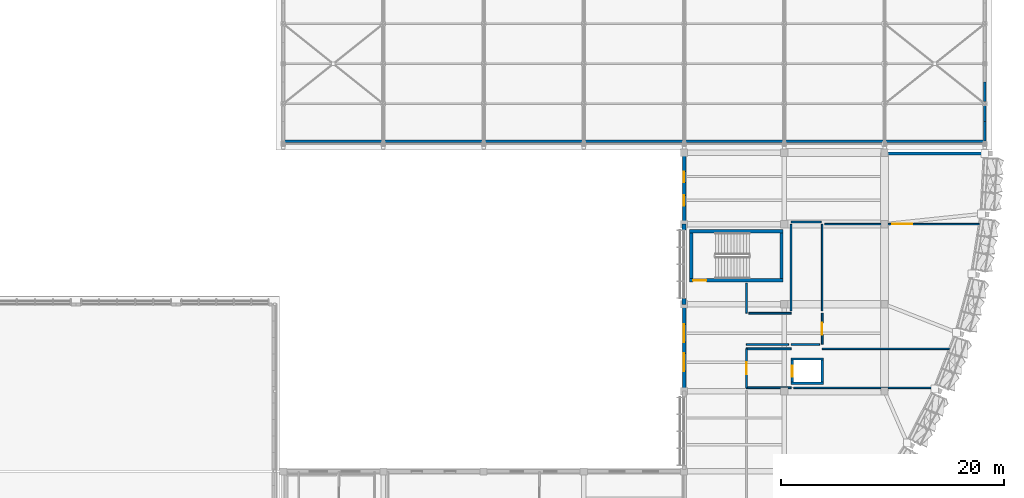
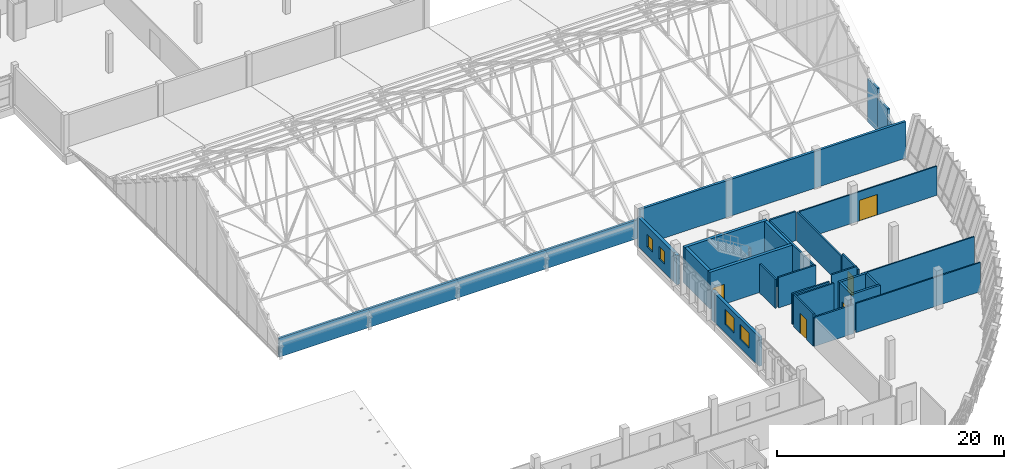
# One storey, part 172 of 182: 31 walls, 5 doors, 4 windows, 9 openings.
"""IFC4 building model written with IfcOpenShell, lengths in metres."""

import ifcopenshell
import ifcopenshell.guid

model = None  # the IFC model being written
_history = None  # IfcOwnerHistory: only IFC2X3 demands one
_inside = {}  # id of a spatial element -> (the spatial element, [elements in it])
_under = {}  # id of a project, library or spatial element -> (it, [spatial elements below it])
_declared = {}  # id of a project -> (the project, [libraries it declares])
_typed = {}  # id of a type object -> (the type object, [elements of that type])
_made_of = {}  # id of a material, layer set ... -> (it, [elements and type objects made of it])


def new_model(schema):
    """Start an empty IFC model of exactly this schema.

    Asked for "IFC4X3", IfcOpenShell would pick the latest addendum, in which some entities
    have other attributes; the version numbers below select the first issue.
    IFC2X3 requires an IfcOwnerHistory on every rooted entity: one is made here for all.
    """
    global model, _history
    if schema == "IFC4X3":
        model = ifcopenshell.file(schema_version=(4, 3, 0, 0))
    else:
        model = ifcopenshell.file(schema=schema)
    _inside.clear()
    _under.clear()
    _declared.clear()
    _typed.clear()
    _made_of.clear()
    _history = None
    if model.schema == "IFC2X3":
        org = make("IfcOrganization", Name="unknown")
        user = make(
            "IfcPersonAndOrganization",
            ThePerson=make("IfcPerson", FamilyName="unknown"),
            TheOrganization=org,
        )
        app = make(
            "IfcApplication",
            ApplicationDeveloper=org,
            Version="unknown",
            ApplicationFullName="unknown",
            ApplicationIdentifier="unknown",
        )
        _history = make(
            "IfcOwnerHistory",
            OwningUser=user,
            OwningApplication=app,
            ChangeAction="ADDED",
            CreationDate=0,
        )
    return model


def make(cls, **values):
    """One entity of the class cls with the attributes given. An attribute that is None is left unset."""
    return model.create_entity(
        cls, **{name: value for name, value in values.items() if value is not None}
    )


def rooted(cls, **values):
    """An entity with a GlobalId (a new one), such as an element, a storey or a relation."""
    return make(cls, GlobalId=ifcopenshell.guid.new(), OwnerHistory=_history, **values)


def si_unit(unit_type, name, prefix=None):
    """IfcSIUnit, for example si_unit("LENGTHUNIT", "METRE", prefix="MILLI")."""
    return make("IfcSIUnit", UnitType=unit_type, Prefix=prefix, Name=name)


def assignment(units):
    """IfcUnitAssignment: the units of a project."""
    return None if units is None else make("IfcUnitAssignment", Units=units)


def point(xyz):
    """IfcCartesianPoint."""
    return None if xyz is None else make("IfcCartesianPoint", Coordinates=xyz)


def direction(xyz):
    """IfcDirection."""
    return None if xyz is None else make("IfcDirection", DirectionRatios=xyz)


def frame(location, z_axis=None, x_axis=None):
    """IfcAxis2Placement3D, a coordinate frame: its origin and axes. An axis left out is left unset."""
    return make(
        "IfcAxis2Placement3D",
        Location=point(location),
        Axis=direction(z_axis),
        RefDirection=direction(x_axis),
    )


def frame_2d(location, x_axis=None):
    """IfcAxis2Placement2D, a coordinate frame in the plane: its origin and x axis."""
    return make(
        "IfcAxis2Placement2D", Location=point(location), RefDirection=direction(x_axis)
    )


def origin():
    """The frame at (0, 0, 0) with its axes left unset."""
    return frame((0.0, 0.0, 0.0))


def place(relative_to, where):
    """IfcLocalPlacement: puts the frame where relative to a parent placement (None: the world)."""
    return make(
        "IfcLocalPlacement", PlacementRelTo=relative_to, RelativePlacement=where
    )


def context(
    kind, dimensions, precision=None, world=None, true_north=None, identifier=None
):
    """IfcGeometricRepresentationContext, for example the 3D "Model" context."""
    return make(
        "IfcGeometricRepresentationContext",
        ContextIdentifier=identifier,
        ContextType=kind,
        CoordinateSpaceDimension=dimensions,
        Precision=precision,
        WorldCoordinateSystem=world,
        TrueNorth=true_north,
    )


def subcontext(parent, identifier, kind, view, scale=None):
    """IfcGeometricRepresentationSubContext, for example "Body" below "Model"."""
    return make(
        "IfcGeometricRepresentationSubContext",
        ContextIdentifier=identifier,
        ContextType=kind,
        ParentContext=parent,
        TargetScale=scale,
        TargetView=view,
    )


def project(units=None, contexts=None):
    """IfcProject with its units and contexts."""
    return rooted(
        "IfcProject",
        Name="project",
        RepresentationContexts=contexts,
        UnitsInContext=assignment(units),
    )


def spatial(cls, under=None, at=None, **own):
    """A site, building, storey or space (cls), placed at a placement, below another one or the project."""
    s = rooted(cls, ObjectPlacement=at, **own)
    if under is not None:
        _under.setdefault(under.id(), (under, []))[1].append(s)
    return s


def profile(cls, at=None, kind="AREA", **sizes):
    """A parametric profile (cls). Its sizes go by their IFC names, for example OverallWidth=200.0."""
    return make(cls, ProfileType=kind, Position=at, **sizes)


def rectangle(**sizes):
    """IfcRectangleProfileDef."""
    return profile("IfcRectangleProfileDef", **sizes)


def extrude(swept, where, along, depth):
    """IfcExtrudedAreaSolid: the profile swept, set in the frame where, extruded along a direction by depth."""
    return make(
        "IfcExtrudedAreaSolid",
        SweptArea=swept,
        Position=where,
        ExtrudedDirection=direction(along),
        Depth=depth,
    )


def shape(context_of_items, identifier, shape_type, items):
    """IfcShapeRepresentation: the items that make up one representation, for example the "Body"."""
    return make(
        "IfcShapeRepresentation",
        ContextOfItems=context_of_items,
        RepresentationIdentifier=identifier,
        RepresentationType=shape_type,
        Items=items,
    )


def material(Name=None, Category=None):
    """IfcMaterial."""
    return make("IfcMaterial", Name=Name, Category=Category)


def layer(
    of_material, thickness, ventilated=None, Name=None, Category=None, Priority=None
):
    """IfcMaterialLayer: one layer of a wall or slab, of a material (None: an air gap)."""
    return make(
        "IfcMaterialLayer",
        Material=of_material,
        LayerThickness=thickness,
        IsVentilated=ventilated,
        Name=Name,
        Category=Category,
        Priority=Priority,
    )


def layer_set(layers, Name=None):
    """IfcMaterialLayerSet."""
    return make("IfcMaterialLayerSet", MaterialLayers=layers, LayerSetName=Name)


def made_of(thing, what):
    """Note that an element or type object is made of a material, layer set ...; save() writes the relation."""
    if what is not None:
        _made_of.setdefault(what.id(), (what, []))[1].append(thing)
    return thing


def type_object(cls, material=None, **own):
    """A type object (cls), such as IfcWallType, which elements share."""
    return made_of(rooted(cls, **own), material)


def element(
    cls,
    number,
    at=None,
    inside=None,
    cuts=None,
    type_object=None,
    material=None,
    context=None,
    identifier="Body",
    shape_type=None,
    held_by="IfcProductDefinitionShape",
    body=None,
    shapes=None,
    **own,
):
    """One element of the class cls, such as IfcWall. Its Tag is "e" and its number.

    at: its placement. inside: the storey or other place that contains it. cuts: it is an
    opening in that element (IfcRelVoidsElement). A single representation is given by context,
    identifier, shape_type and body (its items); several are given by shapes. held_by: the class
    of the entity that holds the representations. save() writes the other relations.
    """
    e = rooted(cls, Tag="e%d" % number, ObjectPlacement=at, **own)
    if body is not None:
        shapes = [shape(context, identifier, shape_type, body)]
    if shapes is not None:
        e.Representation = make(held_by, Representations=shapes)
    if inside is not None:
        _inside.setdefault(inside.id(), (inside, []))[1].append(e)
    if cuts is not None:
        rooted(
            "IfcRelVoidsElement", RelatingBuildingElement=cuts, RelatedOpeningElement=e
        )
    if type_object is not None:
        _typed.setdefault(type_object.id(), (type_object, []))[1].append(e)
    return made_of(e, material)


def fill(opening, filler):
    """IfcRelFillsElement: the door or window that sits in an opening."""
    return rooted(
        "IfcRelFillsElement",
        RelatingOpeningElement=opening,
        RelatedBuildingElement=filler,
    )


def aggregate(whole, parts):
    """IfcRelAggregates: a whole, such as a stair, and the parts it consists of."""
    return rooted("IfcRelAggregates", RelatingObject=whole, RelatedObjects=parts)


def save(model, path):
    """Write the relations noted so far, then the file.

    IfcRelAggregates (storeys below a building ...), IfcRelContainedInSpatialStructure (elements
    in a storey), IfcRelDefinesByType, IfcRelAssociatesMaterial and IfcRelDeclares: one each for
    every whole, place, type object, material and project.
    """
    for whole, parts in _under.values():
        aggregate(whole, parts)
    for where, things in _inside.values():
        rooted(
            "IfcRelContainedInSpatialStructure",
            RelatedElements=things,
            RelatingStructure=where,
        )
    for kind, things in _typed.values():
        rooted("IfcRelDefinesByType", RelatedObjects=things, RelatingType=kind)
    for what, things in _made_of.values():
        rooted("IfcRelAssociatesMaterial", RelatedObjects=things, RelatingMaterial=what)
    for by, libraries in _declared.values():
        rooted("IfcRelDeclares", RelatingContext=by, RelatedDefinitions=libraries)
    model.write(path)


model = new_model("IFC4")

# Units and contexts
model_context = context("Model", 3, precision=1e-05, world=origin(), true_north=direction((0.0, 1.0)))
body_context = subcontext(model_context, "Body", "Model", "MODEL_VIEW")
ifc_project = project(units=[si_unit("LENGTHUNIT", "METRE"), si_unit("AREAUNIT", "SQUARE_METRE"), si_unit("VOLUMEUNIT", "CUBIC_METRE"), si_unit("PLANEANGLEUNIT", "RADIAN"), si_unit("MASSUNIT", "GRAM", prefix="KILO")], contexts=[model_context])

# Site, building, storey
site_placement = place(None, origin())
site = spatial("IfcSite", under=ifc_project, at=site_placement, CompositionType="ELEMENT")
building_placement = place(site_placement, origin())
building = spatial("IfcBuilding", under=site, at=building_placement, Name="Chiffa Square Polytechnic", CompositionType="ELEMENT")
storey_placement = place(building_placement, frame((0.0, 0.0, 9.60009765625)))
storey = spatial("IfcBuildingStorey", under=building, at=storey_placement, Name="L02", CompositionType="ELEMENT", Elevation=9.60009765625)

# Wall, opening, door
ifc_material_1 = material(Name="Concrete C40/50", Category="concrete")
ifc_layer_1 = layer(ifc_material_1, 0.300048828125, Name="Concrete C40/50")
ifc_layer_set_1 = layer_set([ifc_layer_1], Name="Concrete C40/50")
wall_type_1 = type_object("IfcWallType", Name="WL-CORE-300", PredefinedType="SHEAR", material=ifc_layer_set_1)
wall_1_placement = place(storey_placement, frame((148.699951171875, 45.949951171875, 0.0), z_axis=(0.0, 0.0, 1.0), x_axis=(1.0, 0.0, 0.0)))
wall_1 = element("IfcWall", 1, at=wall_1_placement, inside=storey, type_object=wall_type_1, Name="Core or enclosure wall WC-CORE-V1B-L02-SOUTH", PredefinedType="SHEAR", context=body_context, shape_type="SweptSolid", body=[
    extrude(rectangle(XDim=8.400146484375, YDim=0.300048828125, at=frame_2d((4.2001953125, 0.0))), origin(), (0.0, 0.0, 1.0), 3.93994140625),
])
opening_1_placement = place(wall_1_placement, frame((0.300048828125, 0.0, 0.0)))
opening_1 = element("IfcOpeningElement", 2, at=opening_1_placement, cuts=wall_1, Name="Opening DS-L02-012", PredefinedType="OPENING", context=body_context, shape_type="SweptSolid", body=[
    extrude(rectangle(XDim=1.199951171875, YDim=2.14990234375, at=frame_2d((0.60009765625, 1.074951171875))), frame((0.0, 0.16015625, 0.0), z_axis=(0.0, -1.0, 0.0), x_axis=(1.0, 0.0, 0.0)), (0.0, 0.0, 1.0), 0.320068359375),
])
ifc_material_2 = material(Name="Fire-rated painted steel leaf", Category="steel")
door_type_1 = type_object("IfcDoorType", Name="DR-STAIR-1200", OperationType="NOTDEFINED", PredefinedType="DOOR", material=ifc_material_2)
door_1_placement = place(opening_1_placement, origin())
door_1 = element("IfcDoor", 3, at=door_1_placement, inside=storey, type_object=door_type_1, Name="Enclosure door DS-L02-012", OperationType="SINGLE_SWING_RIGHT", OverallHeight=2.14990234375, OverallWidth=1.199951171875, PredefinedType="DOOR", context=body_context, shape_type="SweptSolid", body=[
    extrude(rectangle(XDim=1.199951171875, YDim=2.14990234375, at=frame_2d((0.60009765625, 1.074951171875))), frame((0.0, 0.02490234375, 0.0), z_axis=(0.0, -1.0, 0.0), x_axis=(1.0, 0.0, 0.0)), (0.0, 0.0, 1.0), 0.050048828125),
])
fill(opening_1, door_1)

# Walls
wall_2_placement = place(storey_placement, frame((148.699951171875, 50.35009765625, 0.0), z_axis=(0.0, 0.0, 1.0), x_axis=(1.0, 0.0, 0.0)))
element("IfcWall", 4, at=wall_2_placement, inside=storey, type_object=wall_type_1, Name="Core or enclosure wall WC-CORE-V1B-L02-NORTH", PredefinedType="SHEAR", context=body_context, shape_type="SweptSolid", body=[
    extrude(rectangle(XDim=8.400146484375, YDim=0.300048828125, at=frame_2d((4.2001953125, 0.0))), origin(), (0.0, 0.0, 1.0), 3.93994140625),
])
for number, where, z_axis, x_axis, name in (
    (5, (148.85009765625, 46.10009765625, 0.0), (0.0, 0.0, 1.0), (0.0, 1.0, 0.0), "Core or enclosure wall WC-CORE-V1B-L02-WEST"),
    (6, (156.949951171875, 46.10009765625, 0.0), (0.0, 0.0, 1.0), (0.0, 1.0, 0.0), "Core or enclosure wall WC-CORE-V1B-L02-EAST"),
):
    element("IfcWall", number, at=place(storey_placement, frame(where, z_axis=z_axis, x_axis=x_axis)), inside=storey, type_object=wall_type_1, Name=name, PredefinedType="SHEAR", context=body_context, shape_type="SweptSolid", body=[
        extrude(rectangle(XDim=4.099853515625, YDim=0.300048828125, at=frame_2d((2.0498046875, 0.0))), origin(), (0.0, 0.0, 1.0), 3.93994140625),
    ])
ifc_material_3 = material(Name="Precast concrete C40/50", Category="concrete")
ifc_layer_2 = layer(ifc_material_3, 0.219970703125, Name="Precast concrete C40/50")
ifc_layer_set_2 = layer_set([ifc_layer_2], Name="Precast concrete C40/50")
wall_type_2 = type_object("IfcWallType", Name="WL-EXT-PC220", PredefinedType="SOLIDWALL", material=ifc_layer_set_2)
wall_3_placement = place(storey_placement, frame((112.199951171875, 58.449951171875, 0.0), z_axis=(0.0, 0.0, 1.0), x_axis=(1.0, 0.0, 0.0)))
element("IfcWall", 7, at=wall_3_placement, inside=storey, type_object=wall_type_2, Name="Workshop south eave spandrel wall WE-V2-L02-EAVE-S", PredefinedType="SOLIDWALL", context=body_context, shape_type="SweptSolid", body=[
    extrude(rectangle(XDim=63.0, YDim=0.219970703125, at=frame_2d((31.5, 0.0))), origin(), (0.0, 0.0, 1.0), 2.02001953125),
])
wall_4_placement = place(storey_placement, frame((175.199951171875, 58.449951171875, 0.0), z_axis=(0.0, 0.0, 1.0), x_axis=(0.0, 1.0, 0.0)))
element("IfcWall", 8, at=wall_4_placement, inside=storey, type_object=wall_type_2, Name="Stepped gable infill wall WE-V2-GBL-E-01", PredefinedType="SOLIDWALL", context=body_context, shape_type="SweptSolid", body=[
    extrude(rectangle(XDim=1.775146484375, YDim=0.219970703125, at=frame_2d((0.8876953125, 0.0))), origin(), (0.0, 0.0, 1.0), 2.367919921875),
])
wall_5_placement = place(storey_placement, frame((175.199951171875, 60.22509765625, 0.0), z_axis=(0.0, 0.0, 1.0), x_axis=(0.0, 1.0, 0.0)))
element("IfcWall", 9, at=wall_5_placement, inside=storey, type_object=wall_type_2, Name="Stepped gable infill wall WE-V2-GBL-E-02", PredefinedType="SOLIDWALL", context=body_context, shape_type="SweptSolid", body=[
    extrude(rectangle(XDim=1.77490234375, YDim=0.219970703125, at=frame_2d((0.887451171875, 0.0))), origin(), (0.0, 0.0, 1.0), 3.495849609375),
])
wall_6_placement = place(storey_placement, frame((175.199951171875, 62.0, 0.0), z_axis=(0.0, 0.0, 1.0), x_axis=(0.0, 1.0, 0.0)))
element("IfcWall", 10, at=wall_6_placement, inside=storey, type_object=wall_type_2, Name="Stepped gable infill wall WE-V2-GBL-E-03", PredefinedType="SOLIDWALL", context=body_context, shape_type="SweptSolid", body=[
    extrude(rectangle(XDim=1.77490234375, YDim=0.219970703125, at=frame_2d((0.887451171875, 0.0))), origin(), (0.0, 0.0, 1.0), 4.6240234375),
])

# Wall, openings, windows
ifc_layer_3 = layer(ifc_material_3, 0.300048828125, Name="Precast concrete C40/50")
ifc_layer_set_3 = layer_set([ifc_layer_3], Name="Precast concrete C40/50")
wall_type_3 = type_object("IfcWallType", Name="WL-EXT-PC300", PredefinedType="SOLIDWALL", material=ifc_layer_set_3)
wall_7_placement = place(storey_placement, frame((148.199951171875, 43.800048828125, 0.0), z_axis=(0.0, 0.0, 1.0), x_axis=(0.0, -1.0, 0.0)))
wall_7 = element("IfcWall", 11, at=wall_7_placement, inside=storey, type_object=wall_type_3, Name="Exterior wall WE-V1-L02-0036", PredefinedType="SOLIDWALL", context=body_context, shape_type="SweptSolid", body=[
    extrude(rectangle(XDim=7.800048828125, YDim=0.300048828125, at=frame_2d((3.89990234375, 0.0))), origin(), (0.0, 0.0, 1.0), 3.125),
])
opening_2_placement = place(wall_7_placement, frame((1.800048828125, 0.0, 0.89990234375)))
opening_2 = element("IfcOpeningElement", 12, at=opening_2_placement, cuts=wall_7, Name="Opening W-15", PredefinedType="OPENING", context=body_context, shape_type="SweptSolid", body=[
    extrude(rectangle(XDim=1.60009765625, YDim=1.60009765625, at=frame_2d((0.800048828125, 0.800048828125))), frame((0.0, 0.16015625, 0.0), z_axis=(0.0, -1.0, 0.0), x_axis=(1.0, 0.0, 0.0)), (0.0, 0.0, 1.0), 0.320068359375),
])
opening_3_placement = place(wall_7_placement, frame((4.39990234375, 0.0, 0.89990234375)))
opening_3 = element("IfcOpeningElement", 13, at=opening_3_placement, cuts=wall_7, Name="Opening W-15", PredefinedType="OPENING", context=body_context, shape_type="SweptSolid", body=[
    extrude(rectangle(XDim=1.60009765625, YDim=1.60009765625, at=frame_2d((0.800048828125, 0.800048828125))), frame((0.0, 0.16015625, 0.0), z_axis=(0.0, -1.0, 0.0), x_axis=(1.0, 0.0, 0.0)), (0.0, 0.0, 1.0), 0.320068359375),
])
ifc_material_4 = material(Name="Double glazing in thermally broken aluminium frame", Category="aluminium")
window_type_1 = type_object("IfcWindowType", Name="WIN-OFF-1600X1600", PartitioningType="DOUBLE_PANEL_VERTICAL", PredefinedType="WINDOW", material=ifc_material_4)
window_1_placement = place(opening_2_placement, origin())
window_1 = element("IfcWindow", 14, at=window_1_placement, inside=storey, type_object=window_type_1, Name="Facade window WN-L02-0032", OverallHeight=1.60009765625, OverallWidth=1.60009765625, PartitioningType="DOUBLE_PANEL_VERTICAL", PredefinedType="WINDOW", context=body_context, shape_type="SweptSolid", body=[
    extrude(rectangle(XDim=1.60009765625, YDim=1.60009765625, at=frame_2d((0.800048828125, 0.800048828125))), frame((0.0, 0.030029296875, 0.0), z_axis=(0.0, -1.0, 0.0), x_axis=(1.0, 0.0, 0.0)), (0.0, 0.0, 1.0), 0.06005859375),
])
fill(opening_2, window_1)
window_2_placement = place(opening_3_placement, origin())
window_2 = element("IfcWindow", 15, at=window_2_placement, inside=storey, type_object=window_type_1, Name="Facade window WN-L02-0033", OverallHeight=1.60009765625, OverallWidth=1.60009765625, PartitioningType="DOUBLE_PANEL_VERTICAL", PredefinedType="WINDOW", context=body_context, shape_type="SweptSolid", body=[
    extrude(rectangle(XDim=1.60009765625, YDim=1.60009765625, at=frame_2d((0.800048828125, 0.800048828125))), frame((0.0, 0.030029296875, 0.0), z_axis=(0.0, -1.0, 0.0), x_axis=(1.0, 0.0, 0.0)), (0.0, 0.0, 1.0), 0.06005859375),
])
fill(opening_3, window_2)

ifc_layer_4 = layer(ifc_material_3, 0.320068359375, Name="Precast concrete C40/50")
ifc_layer_set_4 = layer_set([ifc_layer_4], Name="Precast concrete C40/50")
wall_type_4 = type_object("IfcWallType", Name="WL-EXT-PC320", PredefinedType="SOLIDWALL", material=ifc_layer_set_4)
wall_8_placement = place(storey_placement, frame((148.199951171875, 57.35009765625, 0.0), z_axis=(0.0, 0.0, 1.0), x_axis=(0.0, -1.0, 0.0)))
wall_8 = element("IfcWall", 16, at=wall_8_placement, inside=storey, type_object=wall_type_4, Name="Exterior wall WE-V1-L02-0034", PredefinedType="SOLIDWALL", context=body_context, shape_type="SweptSolid", body=[
    extrude(rectangle(XDim=6.35009765625, YDim=0.320068359375, at=frame_2d((3.175048828125, 0.0))), origin(), (0.0, 0.0, 1.0), 3.125),
])
opening_4_placement = place(wall_8_placement, frame((1.64208984375, 0.0, 0.89990234375)))
opening_4 = element("IfcOpeningElement", 17, at=opening_4_placement, cuts=wall_8, Name="Opening W-21", PredefinedType="OPENING", context=body_context, shape_type="SweptSolid", body=[
    extrude(rectangle(XDim=0.949951171875, YDim=1.35009765625, at=frame_2d((0.47509765625, 0.675048828125))), frame((0.0, 0.169921875, 0.0), z_axis=(0.0, -1.0, 0.0), x_axis=(1.0, 0.0, 0.0)), (0.0, 0.0, 1.0), 0.340087890625),
])
opening_5_placement = place(wall_8_placement, frame((3.758056640625, 0.0, 0.89990234375)))
opening_5 = element("IfcOpeningElement", 18, at=opening_5_placement, cuts=wall_8, Name="Opening W-21", PredefinedType="OPENING", context=body_context, shape_type="SweptSolid", body=[
    extrude(rectangle(XDim=0.949951171875, YDim=1.35009765625, at=frame_2d((0.47509765625, 0.675048828125))), frame((0.0, 0.169921875, 0.0), z_axis=(0.0, -1.0, 0.0), x_axis=(1.0, 0.0, 0.0)), (0.0, 0.0, 1.0), 0.340087890625),
])
window_type_2 = type_object("IfcWindowType", Name="WIN-OFF-0950X1350", PartitioningType="DOUBLE_PANEL_VERTICAL", PredefinedType="WINDOW", material=ifc_material_4)
window_3_placement = place(opening_4_placement, origin())
window_3 = element("IfcWindow", 19, at=window_3_placement, inside=storey, type_object=window_type_2, Name="Facade window WN-L02-0030", OverallHeight=1.35009765625, OverallWidth=0.949951171875, PartitioningType="DOUBLE_PANEL_VERTICAL", PredefinedType="WINDOW", context=body_context, shape_type="SweptSolid", body=[
    extrude(rectangle(XDim=0.949951171875, YDim=1.35009765625, at=frame_2d((0.47509765625, 0.675048828125))), frame((0.0, 0.030029296875, 0.0), z_axis=(0.0, -1.0, 0.0), x_axis=(1.0, 0.0, 0.0)), (0.0, 0.0, 1.0), 0.06005859375),
])
fill(opening_4, window_3)
window_4_placement = place(opening_5_placement, origin())
window_4 = element("IfcWindow", 20, at=window_4_placement, inside=storey, type_object=window_type_2, Name="Facade window WN-L02-0031", OverallHeight=1.35009765625, OverallWidth=0.949951171875, PartitioningType="DOUBLE_PANEL_VERTICAL", PredefinedType="WINDOW", context=body_context, shape_type="SweptSolid", body=[
    extrude(rectangle(XDim=0.949951171875, YDim=1.35009765625, at=frame_2d((0.47509765625, 0.675048828125))), frame((0.0, 0.030029296875, 0.0), z_axis=(0.0, -1.0, 0.0), x_axis=(1.0, 0.0, 0.0)), (0.0, 0.0, 1.0), 0.06005859375),
])
fill(opening_5, window_4)

# Walls
ifc_layer_5 = layer(ifc_material_3, 0.340087890625, Name="Precast concrete C40/50")
ifc_layer_set_5 = layer_set([ifc_layer_5], Name="Precast concrete C40/50")
wall_type_5 = type_object("IfcWallType", Name="WL-EXT-PC340", PredefinedType="SOLIDWALL", material=ifc_layer_set_5)
for number, where, z_axis, x_axis, name in (
    (21, (148.199951171875, 51.0, 0.0), (0.0, 0.0, 1.0), (0.0, -1.0, 0.0), "Facade column pier V1-L02-0035L"),
    (22, (148.199951171875, 44.340087890625, 0.0), (0.0, 0.0, 1.0), (0.0, -1.0, 0.0), "Facade column pier V1-L02-0035R"),
):
    element("IfcWall", number, at=place(storey_placement, frame(where, z_axis=z_axis, x_axis=x_axis)), inside=storey, type_object=wall_type_5, Name=name, PredefinedType="SOLIDWALL", context=body_context, shape_type="SweptSolid", body=[
        extrude(rectangle(XDim=0.5400390625, YDim=0.340087890625, at=frame_2d((0.27001953125, 0.0))), origin(), (0.0, 0.0, 1.0), 3.125),
    ])
ifc_material_5 = material(Name="Gypsum board on steel stud", Category="steel")
ifc_layer_6 = layer(ifc_material_5, 0.125, Name="Gypsum board on steel stud")
ifc_layer_set_6 = layer_set([ifc_layer_6], Name="Gypsum board on steel stud")
wall_type_6 = type_object("IfcWallType", Name="WL-PART-125", PredefinedType="PARTITIONING", material=ifc_layer_set_6)
wall_9_placement = place(storey_placement, frame((160.60009765625, 39.800048828125, 0.0), z_axis=(0.0, 0.0, 1.0), x_axis=(1.0, 0.0, 0.0)))
element("IfcWall", 23, at=wall_9_placement, inside=storey, type_object=wall_type_6, Name="Interior partition WP-V1-L02-0431", PredefinedType="PARTITIONING", context=body_context, shape_type="SweptSolid", body=[
    extrude(rectangle(XDim=11.474853515625, YDim=0.125, at=frame_2d((5.7373046875, 0.0))), origin(), (0.0, 0.0, 1.0), 3.27490234375),
])

# Wall, opening, door
ifc_layer_7 = layer(ifc_material_5, 0.135009765625, Name="Gypsum board on steel stud")
ifc_layer_set_7 = layer_set([ifc_layer_7], Name="Gypsum board on steel stud")
wall_type_7 = type_object("IfcWallType", Name="WL-PART-135", PredefinedType="PARTITIONING", material=ifc_layer_set_7)
wall_10_placement = place(storey_placement, frame((160.820068359375, 51.0, 0.0), z_axis=(0.0, 0.0, 1.0), x_axis=(1.0, 0.0, 0.0)))
wall_10 = element("IfcWall", 24, at=wall_10_placement, inside=storey, type_object=wall_type_7, Name="Interior partition WP-V1-L02-0430", PredefinedType="PARTITIONING", context=body_context, shape_type="SweptSolid", body=[
    extrude(rectangle(XDim=13.919921875, YDim=0.135009765625, at=frame_2d((6.9599609375, 0.0))), origin(), (0.0, 0.0, 1.0), 3.125),
])
opening_6_placement = place(wall_10_placement, frame((6.06005859375, 0.0, 0.0)))
opening_6 = element("IfcOpeningElement", 25, at=opening_6_placement, cuts=wall_10, Name="Opening DI-L02-174", PredefinedType="OPENING", context=body_context, shape_type="SweptSolid", body=[
    extrude(rectangle(XDim=1.800048828125, YDim=2.199951171875, at=frame_2d((0.89990234375, 1.10009765625))), frame((0.0, 0.07763671875, 0.0), z_axis=(0.0, -1.0, 0.0), x_axis=(1.0, 0.0, 0.0)), (0.0, 0.0, 1.0), 0.155029296875),
])
ifc_material_6 = material(Name="Solid oak fire door pair")
door_type_2 = type_object("IfcDoorType", Name="DR-CORR-DBL-1800", OperationType="DOUBLE_DOOR_SINGLE_SWING", PredefinedType="DOOR", material=ifc_material_6)
door_2_placement = place(opening_6_placement, origin())
door_2 = element("IfcDoor", 26, at=door_2_placement, inside=storey, type_object=door_type_2, Name="Interior room door DI-L02-174", OperationType="DOUBLE_DOOR_SINGLE_SWING", OverallHeight=2.199951171875, OverallWidth=1.800048828125, PredefinedType="DOOR", context=body_context, shape_type="SweptSolid", body=[
    extrude(rectangle(XDim=1.800048828125, YDim=2.199951171875, at=frame_2d((0.89990234375, 1.10009765625))), frame((0.0, 0.02490234375, 0.0), z_axis=(0.0, -1.0, 0.0), x_axis=(1.0, 0.0, 0.0)), (0.0, 0.0, 1.0), 0.050048828125),
])
fill(opening_6, door_2)

# Walls
wall_11_placement = place(storey_placement, frame((158.0400390625, 36.300048828125, 0.0), z_axis=(0.0, 0.0, 1.0), x_axis=(1.0, 0.0, 0.0)))
element("IfcWall", 27, at=wall_11_placement, inside=storey, type_object=wall_type_7, Name="Interior partition WP-V1-L02-0439", PredefinedType="PARTITIONING", context=body_context, shape_type="SweptSolid", body=[
    extrude(rectangle(XDim=12.64990234375, YDim=0.135009765625, at=frame_2d((6.324951171875, 0.0))), origin(), (0.0, 0.0, 1.0), 3.125),
])
ifc_layer_8 = layer(ifc_material_5, 0.14501953125, Name="Gypsum board on steel stud")
ifc_layer_set_8 = layer_set([ifc_layer_8], Name="Gypsum board on steel stud")
wall_type_8 = type_object("IfcWallType", Name="WL-PART-145", PredefinedType="PARTITIONING", material=ifc_layer_set_8)
wall_12_placement = place(storey_placement, frame((160.60009765625, 43.219970703125, 0.0), z_axis=(0.0, 0.0, 1.0), x_axis=(0.0, 1.0, 0.0)))
element("IfcWall", 28, at=wall_12_placement, inside=storey, type_object=wall_type_8, Name="Interior partition WP-V1-L02-0429", PredefinedType="PARTITIONING", context=body_context, shape_type="SweptSolid", body=[
    extrude(rectangle(XDim=7.780029296875, YDim=0.14501953125, at=frame_2d((3.89013671875, 0.0))), origin(), (0.0, 0.0, 1.0), 3.125),
])
ifc_material_7 = material(Name="Gypsum board on acoustic steel stud", Category="steel")
ifc_layer_9 = layer(ifc_material_7, 0.159912109375, Name="Gypsum board on acoustic steel stud")
ifc_layer_set_9 = layer_set([ifc_layer_9], Name="Gypsum board on acoustic steel stud")
wall_type_9 = type_object("IfcWallType", Name="WL-PART-EI60-160", PredefinedType="PARTITIONING", material=ifc_layer_set_9)
wall_13_placement = place(storey_placement, frame((153.800048828125, 36.300048828125, 0.0), z_axis=(0.0, 0.0, 1.0), x_axis=(1.0, 0.0, 0.0)))
element("IfcWall", 29, at=wall_13_placement, inside=storey, type_object=wall_type_9, Name="Lift lobby rated enclosure WP-LOB-LP-V1B-L02-SOUTH", PredefinedType="PARTITIONING", context=body_context, shape_type="SweptSolid", body=[
    extrude(rectangle(XDim=4.0, YDim=0.159912109375, at=frame_2d((2.0, 0.0))), origin(), (0.0, 0.0, 1.0), 3.125),
])
wall_14_placement = place(storey_placement, frame((153.800048828125, 39.800048828125, 0.0), z_axis=(0.0, 0.0, 1.0), x_axis=(1.0, 0.0, 0.0)))
element("IfcWall", 30, at=wall_14_placement, inside=storey, type_object=wall_type_9, Name="Lift lobby rated enclosure WP-LOB-LP-V1B-L02-NORTH", PredefinedType="PARTITIONING", context=body_context, shape_type="SweptSolid", body=[
    extrude(rectangle(XDim=4.0, YDim=0.159912109375, at=frame_2d((2.0, 0.0))), origin(), (0.0, 0.0, 1.0), 3.27490234375),
])

# Wall, opening, door
wall_15_placement = place(storey_placement, frame((153.800048828125, 36.300048828125, 0.0), z_axis=(0.0, 0.0, 1.0), x_axis=(0.0, 1.0, 0.0)))
wall_15 = element("IfcWall", 31, at=wall_15_placement, inside=storey, type_object=wall_type_9, Name="Lift lobby rated enclosure WP-LOB-LP-V1B-L02-WEST", PredefinedType="PARTITIONING", context=body_context, shape_type="SweptSolid", body=[
    extrude(rectangle(XDim=3.5, YDim=0.159912109375, at=frame_2d((1.75, 0.0))), origin(), (0.0, 0.0, 1.0), 3.48486328125),
])
opening_7_placement = place(wall_15_placement, frame((1.199951171875, 0.0, 0.0)))
opening_7 = element("IfcOpeningElement", 32, at=opening_7_placement, cuts=wall_15, Name="Opening DI-L02-020", PredefinedType="OPENING", context=body_context, shape_type="SweptSolid", body=[
    extrude(rectangle(XDim=1.10009765625, YDim=2.14990234375, at=frame_2d((0.550048828125, 1.074951171875))), frame((0.0, 0.08984375, 0.0), z_axis=(0.0, -1.0, 0.0), x_axis=(1.0, 0.0, 0.0)), (0.0, 0.0, 1.0), 0.179931640625),
])
ifc_material_8 = material(Name="Solid core ash veneer door")
door_type_3 = type_object("IfcDoorType", Name="DR-INT-1100", OperationType="NOTDEFINED", PredefinedType="DOOR", material=ifc_material_8)
door_3_placement = place(opening_7_placement, origin())
door_3 = element("IfcDoor", 33, at=door_3_placement, inside=storey, type_object=door_type_3, Name="Lift lobby fire door DI-L02-020", OperationType="SINGLE_SWING_LEFT", OverallHeight=2.14990234375, OverallWidth=1.10009765625, PredefinedType="DOOR", context=body_context, shape_type="SweptSolid", body=[
    extrude(rectangle(XDim=1.10009765625, YDim=2.14990234375, at=frame_2d((0.550048828125, 1.074951171875))), frame((0.0, 0.02490234375, 0.0), z_axis=(0.0, -1.0, 0.0), x_axis=(1.0, 0.0, 0.0)), (0.0, 0.0, 1.0), 0.050048828125),
])
fill(opening_7, door_3)

wall_16_placement = place(storey_placement, frame((160.60009765625, 40.199951171875, 0.0), z_axis=(0.0, 0.0, 1.0), x_axis=(0.0, 1.0, 0.0)))
wall_16 = element("IfcWall", 34, at=wall_16_placement, inside=storey, type_object=wall_type_9, Name="Interior partition WP-V1-L02-0428", PredefinedType="PARTITIONING", context=body_context, shape_type="SweptSolid", body=[
    extrude(rectangle(XDim=2.800048828125, YDim=0.159912109375, at=frame_2d((1.39990234375, 0.0))), origin(), (0.0, 0.0, 1.0), 3.48486328125),
])
opening_8_placement = place(wall_16_placement, frame((0.85009765625, 0.0, 0.0)))
opening_8 = element("IfcOpeningElement", 35, at=opening_8_placement, cuts=wall_16, Name="Opening DI-L02-173", PredefinedType="OPENING", context=body_context, shape_type="SweptSolid", body=[
    extrude(rectangle(XDim=1.10009765625, YDim=2.14990234375, at=frame_2d((0.550048828125, 1.074951171875))), frame((0.0, 0.08984375, 0.0), z_axis=(0.0, -1.0, 0.0), x_axis=(1.0, 0.0, 0.0)), (0.0, 0.0, 1.0), 0.179931640625),
])
door_4_placement = place(opening_8_placement, origin())
door_4 = element("IfcDoor", 36, at=door_4_placement, inside=storey, type_object=door_type_3, Name="Interior room door DI-L02-173", OperationType="SINGLE_SWING_RIGHT", OverallHeight=2.14990234375, OverallWidth=1.10009765625, PredefinedType="DOOR", context=body_context, shape_type="SweptSolid", body=[
    extrude(rectangle(XDim=1.10009765625, YDim=2.14990234375, at=frame_2d((0.550048828125, 1.074951171875))), frame((0.0, 0.02490234375, 0.0), z_axis=(0.0, -1.0, 0.0), x_axis=(1.0, 0.0, 0.0)), (0.0, 0.0, 1.0), 0.050048828125),
])
fill(opening_8, door_4)

# Walls
wall_17_placement = place(storey_placement, frame((157.800048828125, 51.199951171875, 0.0), z_axis=(0.0, 0.0, 1.0), x_axis=(1.0, 0.0, 0.0)))
element("IfcWall", 37, at=wall_17_placement, inside=storey, type_object=wall_type_9, Name="Interior partition WP-V1-L02-0436", PredefinedType="PARTITIONING", context=body_context, shape_type="SweptSolid", body=[
    extrude(rectangle(XDim=2.708984375, YDim=0.159912109375, at=frame_2d((1.3544921875, 0.0))), origin(), (0.0, 0.0, 1.0), 3.125),
])
wall_18_placement = place(storey_placement, frame((153.800048828125, 43.0, 0.0), z_axis=(0.0, 0.0, 1.0), x_axis=(0.0, 1.0, 0.0)))
element("IfcWall", 38, at=wall_18_placement, inside=storey, type_object=wall_type_9, Name="Interior partition WP-V1-L02-0480", PredefinedType="PARTITIONING", context=body_context, shape_type="SweptSolid", body=[
    extrude(rectangle(XDim=2.7099609375, YDim=0.159912109375, at=frame_2d((1.35498046875, 0.0))), origin(), (0.0, 0.0, 1.0), 3.125),
])
wall_19_placement = place(storey_placement, frame((154.02001953125, 43.0, 0.0), z_axis=(0.0, 0.0, 1.0), x_axis=(1.0, 0.0, 0.0)))
element("IfcWall", 39, at=wall_19_placement, inside=storey, type_object=wall_type_9, Name="Interior partition WP-V1-L02-0481", PredefinedType="PARTITIONING", context=body_context, shape_type="SweptSolid", body=[
    extrude(rectangle(XDim=3.780029296875, YDim=0.159912109375, at=frame_2d((1.89013671875, 0.0))), origin(), (0.0, 0.0, 1.0), 3.27490234375),
])
wall_20_placement = place(storey_placement, frame((157.800048828125, 43.219970703125, 0.0), z_axis=(0.0, 0.0, 1.0), x_axis=(0.0, 1.0, 0.0)))
element("IfcWall", 40, at=wall_20_placement, inside=storey, type_object=wall_type_9, Name="Interior partition WP-V1-L02-0482", PredefinedType="PARTITIONING", context=body_context, shape_type="SweptSolid", body=[
    extrude(rectangle(XDim=7.760009765625, YDim=0.159912109375, at=frame_2d((3.8798828125, 0.0))), origin(), (0.0, 0.0, 1.0), 3.125),
])
wall_21_placement = place(storey_placement, frame((157.800048828125, 40.199951171875, 0.0), z_axis=(0.0, 0.0, 1.0), x_axis=(1.0, 0.0, 0.0)))
element("IfcWall", 41, at=wall_21_placement, inside=storey, type_object=wall_type_9, Name="Interior partition WP-V1-L02-0483", PredefinedType="PARTITIONING", context=body_context, shape_type="SweptSolid", body=[
    extrude(rectangle(XDim=2.579833984375, YDim=0.159912109375, at=frame_2d((1.2900390625, 0.0))), origin(), (0.0, 0.0, 1.0), 3.93994140625),
])
wall_22_placement = place(storey_placement, frame((153.800048828125, 40.199951171875, 0.0), z_axis=(0.0, 0.0, 1.0), x_axis=(1.0, 0.0, 0.0)))
element("IfcWall", 42, at=wall_22_placement, inside=storey, type_object=wall_type_9, Name="Interior partition WP-V1-L02-0484", PredefinedType="PARTITIONING", context=body_context, shape_type="SweptSolid", body=[
    extrude(rectangle(XDim=3.780029296875, YDim=0.159912109375, at=frame_2d((1.89013671875, 0.0))), origin(), (0.0, 0.0, 1.0), 3.27490234375),
])
ifc_material_9 = material(Name="Concrete C35/45", Category="concrete")
ifc_layer_10 = layer(ifc_material_9, 0.219970703125, Name="Concrete C35/45")
ifc_layer_set_10 = layer_set([ifc_layer_10], Name="Concrete C35/45")
wall_type_10 = type_object("IfcWallType", Name="WL-SHAFT-220", PredefinedType="SHEAR", material=ifc_layer_set_10)
for number, where, z_axis, x_axis, name in (
    (43, (157.800048828125, 36.7099609375, 0.0), (0.0, 0.0, 1.0), (1.0, 0.0, 0.0), "Core or enclosure wall WS-LP-V1B-L02-SOUTH"),
    (44, (157.800048828125, 38.889892578125, 0.0), (0.0, 0.0, 1.0), (1.0, 0.0, 0.0), "Core or enclosure wall WS-LP-V1B-L02-NORTH"),
):
    element("IfcWall", number, at=place(storey_placement, frame(where, z_axis=z_axis, x_axis=x_axis)), inside=storey, type_object=wall_type_10, Name=name, PredefinedType="SHEAR", context=body_context, shape_type="SweptSolid", body=[
        extrude(rectangle(XDim=2.89990234375, YDim=0.219970703125, at=frame_2d((1.449951171875, 0.0))), origin(), (0.0, 0.0, 1.0), 3.93994140625),
    ])

# Wall, opening, door
wall_23_placement = place(storey_placement, frame((157.909912109375, 36.820068359375, 0.0), z_axis=(0.0, 0.0, 1.0), x_axis=(0.0, 1.0, 0.0)))
wall_23 = element("IfcWall", 45, at=wall_23_placement, inside=storey, type_object=wall_type_10, Name="Core or enclosure wall WS-LP-V1B-L02-WEST", PredefinedType="SHEAR", context=body_context, shape_type="SweptSolid", body=[
    extrude(rectangle(XDim=1.9599609375, YDim=0.219970703125, at=frame_2d((0.97998046875, 0.0))), origin(), (0.0, 0.0, 1.0), 3.93994140625),
])
opening_9_placement = place(wall_23_placement, frame((0.47998046875, 0.0, 0.0)))
opening_9 = element("IfcOpeningElement", 46, at=opening_9_placement, cuts=wall_23, Name="Opening LD-LP-V1B-L02", PredefinedType="OPENING", context=body_context, shape_type="SweptSolid", body=[
    extrude(rectangle(XDim=1.0, YDim=2.14990234375, at=frame_2d((0.5, 1.074951171875))), frame((0.0, 0.1201171875, 0.0), z_axis=(0.0, -1.0, 0.0), x_axis=(1.0, 0.0, 0.0)), (0.0, 0.0, 1.0), 0.239990234375),
])
ifc_material_10 = material(Name="Brushed stainless steel sliding landing door", Category="steel")
door_type_4 = type_object("IfcDoorType", Name="DR-LIFT-1000", OperationType="SLIDING_TO_RIGHT", PredefinedType="DOOR", material=ifc_material_10)
door_5_placement = place(opening_9_placement, origin())
door_5 = element("IfcDoor", 47, at=door_5_placement, inside=storey, type_object=door_type_4, Name="Enclosure door LD-LP-V1B-L02", OperationType="SLIDING_TO_LEFT", OverallHeight=2.14990234375, OverallWidth=1.0, PredefinedType="DOOR", context=body_context, shape_type="SweptSolid", body=[
    extrude(rectangle(XDim=1.0, YDim=2.14990234375, at=frame_2d((0.5, 1.074951171875))), frame((0.0, 0.02490234375, 0.0), z_axis=(0.0, -1.0, 0.0), x_axis=(1.0, 0.0, 0.0)), (0.0, 0.0, 1.0), 0.050048828125),
])
fill(opening_9, door_5)

# Walls
wall_24_placement = place(storey_placement, frame((160.590087890625, 36.820068359375, 0.0), z_axis=(0.0, 0.0, 1.0), x_axis=(0.0, 1.0, 0.0)))
element("IfcWall", 48, at=wall_24_placement, inside=storey, type_object=wall_type_10, Name="Core or enclosure wall WS-LP-V1B-L02-EAST", PredefinedType="SHEAR", context=body_context, shape_type="SweptSolid", body=[
    extrude(rectangle(XDim=1.9599609375, YDim=0.219970703125, at=frame_2d((0.97998046875, 0.0))), origin(), (0.0, 0.0, 1.0), 3.93994140625),
])
ifc_layer_11 = layer(ifc_material_9, 0.25, Name="Concrete C35/45")
ifc_layer_set_11 = layer_set([ifc_layer_11], Name="Concrete C35/45")
wall_type_11 = type_object("IfcWallType", Name="WL-SJ-250", PredefinedType="SHEAR", material=ifc_layer_set_11)
wall_25_placement = place(storey_placement, frame((175.199951171875, 57.35009765625, 0.0), z_axis=(0.0, 0.0, 1.0), x_axis=(-1.0, 0.0, 0.0)))
element("IfcWall", 49, at=wall_25_placement, inside=storey, type_object=wall_type_11, Name="Seismic-joint fire wall WE-V1-L02-0033", PredefinedType="SHEAR", context=body_context, shape_type="SweptSolid", body=[
    extrude(rectangle(XDim=27.0, YDim=0.25, at=frame_2d((13.5, 0.0))), origin(), (0.0, 0.0, 1.0), 3.93994140625),
])

save(model, "model.ifc")
